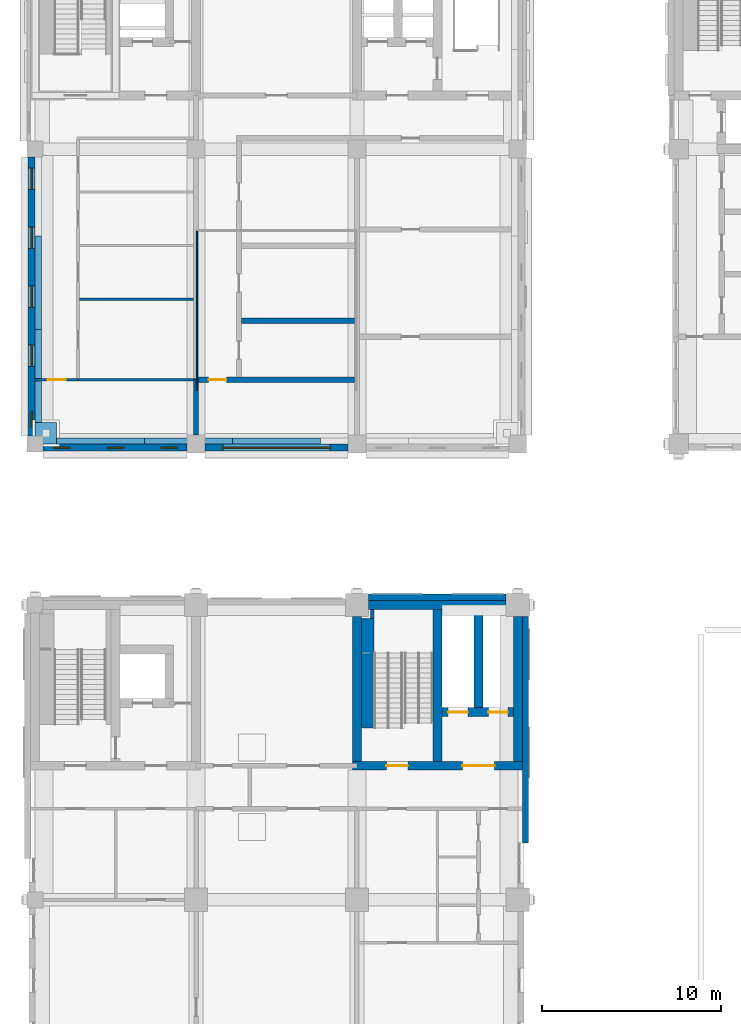
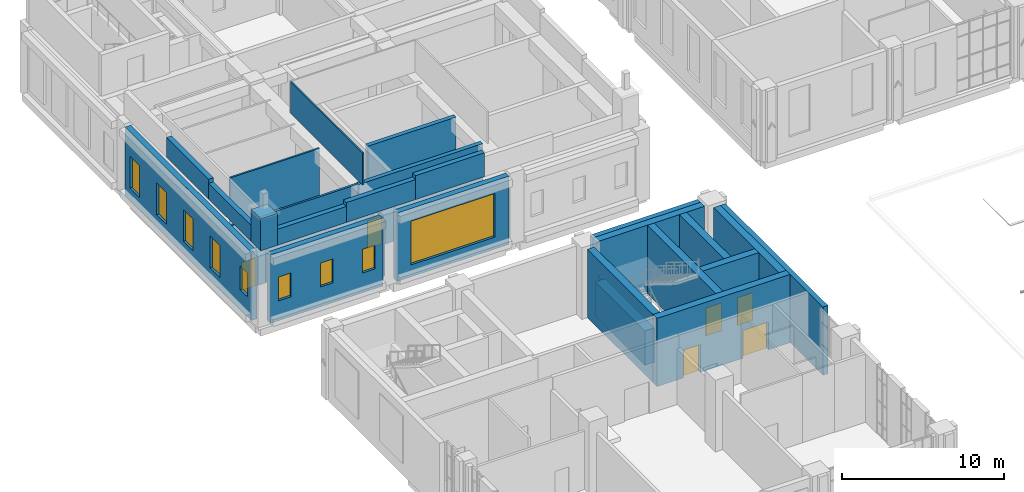
# One storey, part 18 of 37: 27 walls, 9 windows, 6 doors, 15 openings.
"""IFC4 building model written with IfcOpenShell, lengths in metres."""

from ifc_helpers import new_model, si_unit, direction, frame, frame_2d, origin, place, context, subcontext, project, spatial, rectangle, extrude, material, layer, layer_set, type_object, element, fill, save


model = new_model("IFC4")

# Units and contexts
model_context = context("Model", 3, precision=1e-05, world=origin(), true_north=direction((0.0, 1.0)))
body_context = subcontext(model_context, "Body", "Model", "MODEL_VIEW")
ifc_project = project(units=[si_unit("LENGTHUNIT", "METRE"), si_unit("AREAUNIT", "SQUARE_METRE"), si_unit("VOLUMEUNIT", "CUBIC_METRE"), si_unit("PLANEANGLEUNIT", "RADIAN"), si_unit("MASSUNIT", "GRAM", prefix="KILO")], contexts=[model_context])

# Site, building, storey
site_placement = place(None, origin())
site = spatial("IfcSite", under=ifc_project, at=site_placement, CompositionType="ELEMENT")
building_placement = place(site_placement, origin())
building = spatial("IfcBuilding", under=site, at=building_placement, Name="Aurelan Courthouse", CompositionType="ELEMENT")
storey_placement = place(building_placement, frame((0.0, 0.0, 17.39990234375)))
storey = spatial("IfcBuildingStorey", under=building, at=storey_placement, Name="L03", CompositionType="ELEMENT", Elevation=17.39990234375)

# Walls
ifc_material_1 = material(Name="Limestone cladding", Category="masonry")
ifc_layer_1 = layer(ifc_material_1, 0.35009765625)
ifc_layer_set_1 = layer_set([ifc_layer_1], Name="Limestone cladding")
wall_type_1 = type_object("IfcWallType", Name="CR6 crown parapet 350 x 1200", PredefinedType="PARAPET", material=ifc_layer_set_1)
wall_1_placement = place(storey_placement, frame((1.199951171875, 37.675048828125, 5.400146484375), z_axis=(0.0, 0.0, 1.0), x_axis=(1.0, 0.0, 0.0)))
element("IfcWall", 1, at=wall_1_placement, inside=storey, type_object=wall_type_1, Name="Crown parapet CR6-PA01", PredefinedType="PARAPET", context=body_context, shape_type="SweptSolid", body=[
    extrude(rectangle(XDim=4.920166015625, YDim=0.35009765625, at=frame_2d((2.4599609375, 0.0))), origin(), (0.0, 0.0, 1.0), 1.199951171875),
])
wall_2_placement = place(storey_placement, frame((0.175048828125, 38.699951171875, 5.400146484375), z_axis=(0.0, 0.0, 1.0), x_axis=(0.0, 1.0, 0.0)))
element("IfcWall", 2, at=wall_2_placement, inside=storey, type_object=wall_type_1, Name="Crown parapet CR6-PA11", PredefinedType="PARAPET", context=body_context, shape_type="SweptSolid", body=[
    extrude(rectangle(XDim=5.219970703125, YDim=0.35009765625, at=frame_2d((2.60986328125, 0.0))), origin(), (0.0, 0.0, 1.0), 1.199951171875),
])
ifc_layer_2 = layer(ifc_material_1, 0.35009765625)
ifc_layer_set_2 = layer_set([ifc_layer_2], Name="Limestone cladding")
wall_type_2 = type_object("IfcWallType", Name="CR6 crown parapet 350 x 1500", PredefinedType="PARAPET", material=ifc_layer_set_2)
wall_3_placement = place(storey_placement, frame((6.1201171875, 37.675048828125, 5.400146484375), z_axis=(0.0, 0.0, 1.0), x_axis=(1.0, 0.0, 0.0)))
element("IfcWall", 3, at=wall_3_placement, inside=storey, type_object=wall_type_2, Name="Crown parapet CR6-PA02", PredefinedType="PARAPET", context=body_context, shape_type="SweptSolid", body=[
    extrude(rectangle(XDim=4.919921875, YDim=0.35009765625, at=frame_2d((2.4599609375, 0.0))), origin(), (0.0, 0.0, 1.0), 1.5),
])
wall_4_placement = place(storey_placement, frame((0.175048828125, 43.919921875, 5.400146484375), z_axis=(0.0, 0.0, 1.0), x_axis=(0.0, 1.0, 0.0)))
element("IfcWall", 4, at=wall_4_placement, inside=storey, type_object=wall_type_2, Name="Crown parapet CR6-PA12", PredefinedType="PARAPET", context=body_context, shape_type="SweptSolid", body=[
    extrude(rectangle(XDim=5.219970703125, YDim=0.35009765625, at=frame_2d((2.60986328125, 0.0))), origin(), (0.0, 0.0, 1.0), 1.5),
])
ifc_layer_3 = layer(ifc_material_1, 0.35009765625)
ifc_layer_set_3 = layer_set([ifc_layer_3], Name="Limestone cladding")
wall_type_3 = type_object("IfcWallType", Name="CR6 crown parapet 350 x 1800", PredefinedType="PARAPET", material=ifc_layer_set_3)
wall_5_placement = place(storey_placement, frame((11.0400390625, 37.675048828125, 5.400146484375), z_axis=(0.0, 0.0, 1.0), x_axis=(1.0, 0.0, 0.0)))
element("IfcWall", 5, at=wall_5_placement, inside=storey, type_object=wall_type_3, Name="Crown parapet CR6-PA03", PredefinedType="PARAPET", context=body_context, shape_type="SweptSolid", body=[
    extrude(rectangle(XDim=4.919921875, YDim=0.35009765625, at=frame_2d((2.4599609375, 0.0))), origin(), (0.0, 0.0, 1.0), 1.800048828125),
])

# Wall, opening, door
ifc_material_2 = material(Name="Gypsum board on metal studs")
ifc_layer_4 = layer(ifc_material_2, 0.14990234375)
ifc_layer_set_4 = layer_set([ifc_layer_4], Name="Gypsum board on metal studs")
wall_type_4 = type_object("IfcWallType", Name="Corridor partition 150 EI 60", PredefinedType="PARTITIONING", material=ifc_layer_set_4)
wall_6_placement = place(storey_placement, frame((0.0, 41.10009765625, 0.0), z_axis=(0.0, 0.0, 1.0), x_axis=(1.0, 0.0, 0.0)))
wall_6 = element("IfcWall", 6, at=wall_6_placement, inside=storey, type_object=wall_type_4, Name="Corridor partition L03-013", PredefinedType="PARTITIONING", context=body_context, shape_type="SweptSolid", body=[
    extrude(rectangle(XDim=2.39990234375, YDim=0.14990234375, at=frame_2d((1.199951171875, 0.0))), origin(), (0.0, 0.0, 1.0), 5.150146484375),
])
opening_1_placement = place(wall_6_placement, frame((1.699951171875, 0.0, 0.0), z_axis=(0.0, 0.0, 1.0), x_axis=(-1.0, 0.0, 0.0)))
opening_1 = element("IfcOpeningElement", 7, at=opening_1_placement, cuts=wall_6, Name="Opening D-L03-085", PredefinedType="OPENING", context=body_context, shape_type="SweptSolid", body=[
    extrude(rectangle(XDim=1.0, YDim=2.10009765625, at=frame_2d((0.5, 1.050048828125))), frame((0.0, 0.0849609375, 0.0), z_axis=(0.0, -1.0, 0.0), x_axis=(1.0, 0.0, 0.0)), (0.0, 0.0, 1.0), 0.169921875),
])
ifc_material_3 = material(Name="Steel", Category="steel")
door_type_1 = type_object("IfcDoorType", Name="Single door 1000 x 2100 FD60", OperationType="SINGLE_SWING_LEFT", PredefinedType="DOOR", material=ifc_material_3)
door_1_placement = place(opening_1_placement, origin())
door_1 = element("IfcDoor", 8, at=door_1_placement, inside=storey, type_object=door_type_1, Name="Single door D-L03-085", OperationType="SINGLE_SWING_RIGHT", OverallHeight=2.10009765625, OverallWidth=1.0, PredefinedType="DOOR", context=body_context, shape_type="SweptSolid", body=[
    extrude(rectangle(XDim=1.0, YDim=2.10009765625, at=frame_2d((0.5, 1.050048828125))), frame((0.0, 0.02490234375, 0.0), z_axis=(0.0, -1.0, 0.0), x_axis=(1.0, 0.0, 0.0)), (0.0, 0.0, 1.0), 0.050048828125),
])
fill(opening_1, door_1)

# Walls
ifc_layer_5 = layer(ifc_material_1, 0.10009765625, Name="Facing")
ifc_material_4 = material(Name="Ventilated cavity")
ifc_layer_6 = layer(ifc_material_4, 0.02490234375, ventilated=True, Name="Ventilated cavity")
ifc_material_5 = material(Name="Mineral wool insulation")
ifc_layer_7 = layer(ifc_material_5, 0.050048828125, Name="Insulation")
ifc_material_6 = material(Name="Concrete C30", Category="concrete")
ifc_layer_8 = layer(ifc_material_6, 0.175048828125, Name="Structure")
ifc_layer_set_5 = layer_set([ifc_layer_5, ifc_layer_6, ifc_layer_7, ifc_layer_8], Name="Concrete C30")
wall_type_5 = type_object("IfcWallType", Name="Courts' Floors stone-faced wall 350", PredefinedType="SOLIDWALL", material=ifc_layer_set_5)
wall_7_placement = place(storey_placement, frame((18.64990234375, 28.925048828125, 0.0), z_axis=(0.0, 0.0, 1.0), x_axis=(1.0, 0.0, 0.0)))
element("IfcWall", 9, at=wall_7_placement, inside=storey, type_object=wall_type_5, Name="Facade wall FW-V5-L03-012", PredefinedType="SOLIDWALL", context=body_context, shape_type="SweptSolid", body=[
    extrude(rectangle(XDim=7.7001953125, YDim=0.35009765625, at=frame_2d((3.85009765625, 0.0))), origin(), (0.0, 0.0, 1.0), 5.150146484375),
])
wall_8_placement = place(storey_placement, frame((27.425048828125, 15.1875, 0.0), z_axis=(0.0, 0.0, 1.0), x_axis=(0.0, 1.0, 0.0)))
element("IfcWall", 10, at=wall_8_placement, inside=storey, type_object=wall_type_5, Name="Facade wall FW-V5-L03-018", PredefinedType="SOLIDWALL", context=body_context, shape_type="SweptSolid", body=[
    extrude(rectangle(XDim=12.66259765625, YDim=0.35009765625, at=frame_2d((6.331298828125, 0.0))), origin(), (0.0, 0.0, 1.0), 5.150146484375),
])
ifc_layer_9 = layer(ifc_material_1, 1.199951171875)
ifc_layer_set_6 = layer_set([ifc_layer_9], Name="Limestone cladding")
wall_type_6 = type_object("IfcWallType", Name="Crown pylon 1200 x 2400", PredefinedType="SOLIDWALL", material=ifc_layer_set_6)
wall_9_placement = place(storey_placement, frame((0.0, 38.10009765625, 5.400146484375), z_axis=(0.0, 0.0, 1.0), x_axis=(1.0, 0.0, 0.0)))
element("IfcWall", 11, at=wall_9_placement, inside=storey, type_object=wall_type_6, Name="Crown pylon CR6-PY-SW", PredefinedType="SOLIDWALL", context=body_context, shape_type="SweptSolid", body=[
    extrude(rectangle(XDim=1.199951171875, YDim=1.199951171875, at=frame_2d((0.60009765625, 0.0))), origin(), (0.0, 0.0, 1.0), 2.39990234375),
])

# Wall, openings, windows
ifc_layer_10 = layer(ifc_material_1, 0.114990234375, Name="Facing")
ifc_layer_11 = layer(ifc_material_4, 0.02490234375, ventilated=True, Name="Ventilated cavity")
ifc_layer_12 = layer(ifc_material_5, 0.054931640625, Name="Insulation")
ifc_layer_13 = layer(ifc_material_6, 0.205078125, Name="Structure")
ifc_layer_set_7 = layer_set([ifc_layer_10, ifc_layer_11, ifc_layer_12, ifc_layer_13], Name="Concrete C30")
wall_type_7 = type_object("IfcWallType", Name="Custody Suite stone-faced wall 400", PredefinedType="SOLIDWALL", material=ifc_layer_set_7)
wall_10_placement = place(storey_placement, frame((0.449951171875, 37.300048828125, 0.0), z_axis=(0.0, 0.0, 1.0), x_axis=(1.0, 0.0, 0.0)))
wall_10 = element("IfcWall", 12, at=wall_10_placement, inside=storey, type_object=wall_type_7, Name="Facade wall FW-V6-L03-001", PredefinedType="SOLIDWALL", context=body_context, shape_type="SweptSolid", body=[
    extrude(rectangle(XDim=8.050048828125, YDim=0.39990234375, at=frame_2d((4.02490234375, 0.0))), origin(), (0.0, 0.0, 1.0), 5.150146484375),
])
opening_2_placement = place(wall_10_placement, frame((0.60009765625, 0.0, 1.5)))
opening_2 = element("IfcOpeningElement", 13, at=opening_2_placement, cuts=wall_10, Name="Opening WN-V6-L03-001", PredefinedType="OPENING", context=body_context, shape_type="SweptSolid", body=[
    extrude(rectangle(XDim=0.89990234375, YDim=1.800048828125, at=frame_2d((0.449951171875, 0.89990234375))), frame((0.0, 0.2099609375, 0.0), z_axis=(0.0, -1.0, 0.0), x_axis=(1.0, 0.0, 0.0)), (0.0, 0.0, 1.0), 0.419921875),
])
opening_3_placement = place(wall_10_placement, frame((3.60009765625, 0.0, 1.5)))
opening_3 = element("IfcOpeningElement", 14, at=opening_3_placement, cuts=wall_10, Name="Opening WN-V6-L03-002", PredefinedType="OPENING", context=body_context, shape_type="SweptSolid", body=[
    extrude(rectangle(XDim=0.89990234375, YDim=1.800048828125, at=frame_2d((0.449951171875, 0.89990234375))), frame((0.0, 0.2099609375, 0.0), z_axis=(0.0, -1.0, 0.0), x_axis=(1.0, 0.0, 0.0)), (0.0, 0.0, 1.0), 0.419921875),
])
opening_4_placement = place(wall_10_placement, frame((6.60009765625, 0.0, 1.5)))
opening_4 = element("IfcOpeningElement", 15, at=opening_4_placement, cuts=wall_10, Name="Opening WN-V6-L03-003", PredefinedType="OPENING", context=body_context, shape_type="SweptSolid", body=[
    extrude(rectangle(XDim=0.89990234375, YDim=1.800048828125, at=frame_2d((0.449951171875, 0.89990234375))), frame((0.0, 0.2099609375, 0.0), z_axis=(0.0, -1.0, 0.0), x_axis=(1.0, 0.0, 0.0)), (0.0, 0.0, 1.0), 0.419921875),
])
ifc_material_7 = material(Name="Bronze-finished aluminium and glass", Category="aluminium")
window_type_1 = type_object("IfcWindowType", Name="Custody Suite window 900 x 1800, sill 1500", PartitioningType="SINGLE_PANEL", PredefinedType="WINDOW", material=ifc_material_7)
window_1_placement = place(opening_2_placement, origin())
window_1 = element("IfcWindow", 16, at=window_1_placement, inside=storey, type_object=window_type_1, Name="Window WN-V6-L03-001", OverallHeight=1.800048828125, OverallWidth=0.89990234375, PartitioningType="SINGLE_PANEL", PredefinedType="WINDOW", context=body_context, shape_type="SweptSolid", body=[
    extrude(rectangle(XDim=0.89990234375, YDim=1.800048828125, at=frame_2d((0.449951171875, 0.89990234375))), frame((0.0, 0.030029296875, 0.0), z_axis=(0.0, -1.0, 0.0), x_axis=(1.0, 0.0, 0.0)), (0.0, 0.0, 1.0), 0.06005859375),
])
fill(opening_2, window_1)
window_2_placement = place(opening_3_placement, origin())
window_2 = element("IfcWindow", 17, at=window_2_placement, inside=storey, type_object=window_type_1, Name="Window WN-V6-L03-002", OverallHeight=1.800048828125, OverallWidth=0.89990234375, PartitioningType="SINGLE_PANEL", PredefinedType="WINDOW", context=body_context, shape_type="SweptSolid", body=[
    extrude(rectangle(XDim=0.89990234375, YDim=1.800048828125, at=frame_2d((0.449951171875, 0.89990234375))), frame((0.0, 0.030029296875, 0.0), z_axis=(0.0, -1.0, 0.0), x_axis=(1.0, 0.0, 0.0)), (0.0, 0.0, 1.0), 0.06005859375),
])
fill(opening_3, window_2)
window_3_placement = place(opening_4_placement, origin())
window_3 = element("IfcWindow", 18, at=window_3_placement, inside=storey, type_object=window_type_1, Name="Window WN-V6-L03-003", OverallHeight=1.800048828125, OverallWidth=0.89990234375, PartitioningType="SINGLE_PANEL", PredefinedType="WINDOW", context=body_context, shape_type="SweptSolid", body=[
    extrude(rectangle(XDim=0.89990234375, YDim=1.800048828125, at=frame_2d((0.449951171875, 0.89990234375))), frame((0.0, 0.030029296875, 0.0), z_axis=(0.0, -1.0, 0.0), x_axis=(1.0, 0.0, 0.0)), (0.0, 0.0, 1.0), 0.06005859375),
])
fill(opening_4, window_3)

# Wall, opening, window
wall_11_placement = place(storey_placement, frame((9.5, 37.300048828125, 0.0), z_axis=(0.0, 0.0, 1.0), x_axis=(1.0, 0.0, 0.0)))
wall_11 = element("IfcWall", 19, at=wall_11_placement, inside=storey, type_object=wall_type_7, Name="Facade wall FW-V6-L03-002", PredefinedType="SOLIDWALL", context=body_context, shape_type="SweptSolid", body=[
    extrude(rectangle(XDim=8.0, YDim=0.39990234375, at=frame_2d((4.0, 0.0))), origin(), (0.0, 0.0, 1.0), 5.150146484375),
])
opening_5_placement = place(wall_11_placement, frame((1.0, 0.0, 0.89990234375)))
opening_5 = element("IfcOpeningElement", 20, at=opening_5_placement, cuts=wall_11, Name="Opening WN-V6-L03-004", PredefinedType="OPENING", context=body_context, shape_type="SweptSolid", body=[
    extrude(rectangle(XDim=6.0, YDim=3.300048828125, at=frame_2d((3.0, 1.64990234375))), frame((0.0, 0.2099609375, 0.0), z_axis=(0.0, -1.0, 0.0), x_axis=(1.0, 0.0, 0.0)), (0.0, 0.0, 1.0), 0.419921875),
])
ifc_material_8 = material(Name="Bronze-finished aluminium louvre", Category="aluminium")
window_type_2 = type_object("IfcWindowType", Name="Plant louvre 6000 x 3300", PartitioningType="SINGLE_PANEL", PredefinedType="WINDOW", material=ifc_material_8)
window_4_placement = place(opening_5_placement, origin())
window_4 = element("IfcWindow", 21, at=window_4_placement, inside=storey, type_object=window_type_2, Name="Plant louvre WN-V6-L03-004", OverallHeight=3.300048828125, OverallWidth=6.0, PartitioningType="SINGLE_PANEL", PredefinedType="WINDOW", context=body_context, shape_type="SweptSolid", body=[
    extrude(rectangle(XDim=6.0, YDim=3.300048828125, at=frame_2d((3.0, 1.64990234375))), frame((0.0, 0.030029296875, 0.0), z_axis=(0.0, -1.0, 0.0), x_axis=(1.0, 0.0, 0.0)), (0.0, 0.0, 1.0), 0.06005859375),
])
fill(opening_5, window_4)

# Wall, openings, windows
wall_12_placement = place(storey_placement, frame((-0.199951171875, 37.949951171875, 0.0), z_axis=(0.0, 0.0, 1.0), x_axis=(0.0, 1.0, 0.0)))
wall_12 = element("IfcWall", 22, at=wall_12_placement, inside=storey, type_object=wall_type_7, Name="Facade wall FW-V6-L03-009", PredefinedType="SOLIDWALL", context=body_context, shape_type="SweptSolid", body=[
    extrude(rectangle(XDim=15.60009765625, YDim=0.39990234375, at=frame_2d((7.800048828125, 0.0))), origin(), (0.0, 0.0, 1.0), 5.150146484375),
])
opening_6_placement = place(wall_12_placement, frame((3.89990234375, 0.0, 0.89990234375)))
opening_6 = element("IfcOpeningElement", 23, at=opening_6_placement, cuts=wall_12, Name="Opening WN-V6-L03-017", PredefinedType="OPENING", context=body_context, shape_type="SweptSolid", body=[
    extrude(rectangle(XDim=1.199951171875, YDim=2.39990234375, at=frame_2d((0.60009765625, 1.199951171875))), frame((0.0, 0.2099609375, 0.0), z_axis=(0.0, -1.0, 0.0), x_axis=(1.0, 0.0, 0.0)), (0.0, 0.0, 1.0), 0.419921875),
])
opening_7_placement = place(wall_12_placement, frame((7.199951171875, 0.0, 0.89990234375)))
opening_7 = element("IfcOpeningElement", 24, at=opening_7_placement, cuts=wall_12, Name="Opening WN-V6-L03-018", PredefinedType="OPENING", context=body_context, shape_type="SweptSolid", body=[
    extrude(rectangle(XDim=1.199951171875, YDim=2.39990234375, at=frame_2d((0.60009765625, 1.199951171875))), frame((0.0, 0.2099609375, 0.0), z_axis=(0.0, -1.0, 0.0), x_axis=(1.0, 0.0, 0.0)), (0.0, 0.0, 1.0), 0.419921875),
])
opening_8_placement = place(wall_12_placement, frame((10.5, 0.0, 0.89990234375)))
opening_8 = element("IfcOpeningElement", 25, at=opening_8_placement, cuts=wall_12, Name="Opening WN-V6-L03-019", PredefinedType="OPENING", context=body_context, shape_type="SweptSolid", body=[
    extrude(rectangle(XDim=1.199951171875, YDim=2.39990234375, at=frame_2d((0.60009765625, 1.199951171875))), frame((0.0, 0.2099609375, 0.0), z_axis=(0.0, -1.0, 0.0), x_axis=(1.0, 0.0, 0.0)), (0.0, 0.0, 1.0), 0.419921875),
])
opening_9_placement = place(wall_12_placement, frame((13.800048828125, 0.0, 0.89990234375)))
opening_9 = element("IfcOpeningElement", 26, at=opening_9_placement, cuts=wall_12, Name="Opening WN-V6-L03-020", PredefinedType="OPENING", context=body_context, shape_type="SweptSolid", body=[
    extrude(rectangle(XDim=1.199951171875, YDim=2.39990234375, at=frame_2d((0.60009765625, 1.199951171875))), frame((0.0, 0.2099609375, 0.0), z_axis=(0.0, -1.0, 0.0), x_axis=(1.0, 0.0, 0.0)), (0.0, 0.0, 1.0), 0.419921875),
])
opening_10_placement = place(wall_12_placement, frame((0.47509765625, 0.0, 1.5)))
opening_10 = element("IfcOpeningElement", 27, at=opening_10_placement, cuts=wall_12, Name="Opening WN-V6-L03-021", PredefinedType="OPENING", context=body_context, shape_type="SweptSolid", body=[
    extrude(rectangle(XDim=0.89990234375, YDim=1.800048828125, at=frame_2d((0.449951171875, 0.89990234375))), frame((0.0, 0.2099609375, 0.0), z_axis=(0.0, -1.0, 0.0), x_axis=(1.0, 0.0, 0.0)), (0.0, 0.0, 1.0), 0.419921875),
])
window_type_3 = type_object("IfcWindowType", Name="Custody Suite glazed slot 1200 x 2400, sill 900", PartitioningType="SINGLE_PANEL", PredefinedType="WINDOW", material=ifc_material_7)
window_5_placement = place(opening_6_placement, origin())
window_5 = element("IfcWindow", 28, at=window_5_placement, inside=storey, type_object=window_type_3, Name="Glazed slot WN-V6-L03-017", OverallHeight=2.39990234375, OverallWidth=1.199951171875, PartitioningType="SINGLE_PANEL", PredefinedType="WINDOW", context=body_context, shape_type="SweptSolid", body=[
    extrude(rectangle(XDim=1.199951171875, YDim=2.39990234375, at=frame_2d((0.60009765625, 1.199951171875))), frame((0.0, 0.030029296875, 0.0), z_axis=(0.0, -1.0, 0.0), x_axis=(1.0, 0.0, 0.0)), (0.0, 0.0, 1.0), 0.06005859375),
])
fill(opening_6, window_5)
window_6_placement = place(opening_7_placement, origin())
window_6 = element("IfcWindow", 29, at=window_6_placement, inside=storey, type_object=window_type_3, Name="Glazed slot WN-V6-L03-018", OverallHeight=2.39990234375, OverallWidth=1.199951171875, PartitioningType="SINGLE_PANEL", PredefinedType="WINDOW", context=body_context, shape_type="SweptSolid", body=[
    extrude(rectangle(XDim=1.199951171875, YDim=2.39990234375, at=frame_2d((0.60009765625, 1.199951171875))), frame((0.0, 0.030029296875, 0.0), z_axis=(0.0, -1.0, 0.0), x_axis=(1.0, 0.0, 0.0)), (0.0, 0.0, 1.0), 0.06005859375),
])
fill(opening_7, window_6)
window_7_placement = place(opening_8_placement, origin())
window_7 = element("IfcWindow", 30, at=window_7_placement, inside=storey, type_object=window_type_3, Name="Glazed slot WN-V6-L03-019", OverallHeight=2.39990234375, OverallWidth=1.199951171875, PartitioningType="SINGLE_PANEL", PredefinedType="WINDOW", context=body_context, shape_type="SweptSolid", body=[
    extrude(rectangle(XDim=1.199951171875, YDim=2.39990234375, at=frame_2d((0.60009765625, 1.199951171875))), frame((0.0, 0.030029296875, 0.0), z_axis=(0.0, -1.0, 0.0), x_axis=(1.0, 0.0, 0.0)), (0.0, 0.0, 1.0), 0.06005859375),
])
fill(opening_8, window_7)
window_8_placement = place(opening_9_placement, origin())
window_8 = element("IfcWindow", 31, at=window_8_placement, inside=storey, type_object=window_type_3, Name="Glazed slot WN-V6-L03-020", OverallHeight=2.39990234375, OverallWidth=1.199951171875, PartitioningType="SINGLE_PANEL", PredefinedType="WINDOW", context=body_context, shape_type="SweptSolid", body=[
    extrude(rectangle(XDim=1.199951171875, YDim=2.39990234375, at=frame_2d((0.60009765625, 1.199951171875))), frame((0.0, 0.030029296875, 0.0), z_axis=(0.0, -1.0, 0.0), x_axis=(1.0, 0.0, 0.0)), (0.0, 0.0, 1.0), 0.06005859375),
])
fill(opening_9, window_8)
window_9_placement = place(opening_10_placement, origin())
window_9 = element("IfcWindow", 32, at=window_9_placement, inside=storey, type_object=window_type_1, Name="Window WN-V6-L03-021", OverallHeight=1.800048828125, OverallWidth=0.89990234375, PartitioningType="SINGLE_PANEL", PredefinedType="WINDOW", context=body_context, shape_type="SweptSolid", body=[
    extrude(rectangle(XDim=0.89990234375, YDim=1.800048828125, at=frame_2d((0.449951171875, 0.89990234375))), frame((0.0, 0.030029296875, 0.0), z_axis=(0.0, -1.0, 0.0), x_axis=(1.0, 0.0, 0.0)), (0.0, 0.0, 1.0), 0.06005859375),
])
fill(opening_10, window_9)

# Wall, opening, door
ifc_layer_14 = layer(ifc_material_6, 0.300048828125)
ifc_layer_set_8 = layer_set([ifc_layer_14], Name="Concrete C30")
wall_type_8 = type_object("IfcWallType", Name="Custody wall 300 EI 120", PredefinedType="PARTITIONING", material=ifc_layer_set_8)
wall_13_placement = place(storey_placement, frame((9.0, 41.10009765625, 0.0), z_axis=(0.0, 0.0, 1.0), x_axis=(1.0, 0.0, 0.0)))
wall_13 = element("IfcWall", 33, at=wall_13_placement, inside=storey, type_object=wall_type_8, Name="Custody wall L03-015", PredefinedType="PARTITIONING", context=body_context, shape_type="SweptSolid", body=[
    extrude(rectangle(XDim=8.85009765625, YDim=0.300048828125, at=frame_2d((4.425048828125, 0.0))), origin(), (0.0, 0.0, 1.0), 5.150146484375),
])
opening_11_placement = place(wall_13_placement, frame((1.699951171875, 0.0, 0.0), z_axis=(0.0, 0.0, 1.0), x_axis=(-1.0, 0.0, 0.0)))
opening_11 = element("IfcOpeningElement", 34, at=opening_11_placement, cuts=wall_13, Name="Opening D-L03-086", PredefinedType="OPENING", context=body_context, shape_type="SweptSolid", body=[
    extrude(rectangle(XDim=1.0, YDim=2.10009765625, at=frame_2d((0.5, 1.050048828125))), frame((0.0, 0.159912109375, 0.0), z_axis=(0.0, -1.0, 0.0), x_axis=(1.0, 0.0, 0.0)), (0.0, 0.0, 1.0), 0.320068359375),
])
door_type_2 = type_object("IfcDoorType", Name="Single door 1000 x 2100 FD120", OperationType="SINGLE_SWING_LEFT", PredefinedType="DOOR", material=ifc_material_3)
door_2_placement = place(opening_11_placement, origin())
door_2 = element("IfcDoor", 35, at=door_2_placement, inside=storey, type_object=door_type_2, Name="Single door D-L03-086", OperationType="SINGLE_SWING_RIGHT", OverallHeight=2.10009765625, OverallWidth=1.0, PredefinedType="DOOR", context=body_context, shape_type="SweptSolid", body=[
    extrude(rectangle(XDim=1.0, YDim=2.10009765625, at=frame_2d((0.5, 1.050048828125))), frame((0.0, 0.02490234375, 0.0), z_axis=(0.0, -1.0, 0.0), x_axis=(1.0, 0.0, 0.0)), (0.0, 0.0, 1.0), 0.050048828125),
])
fill(opening_11, door_2)

# Walls
wall_14_placement = place(storey_placement, frame((11.550048828125, 44.39990234375, 0.0), z_axis=(0.0, 0.0, 1.0), x_axis=(1.0, 0.0, 0.0)))
element("IfcWall", 36, at=wall_14_placement, inside=storey, type_object=wall_type_8, Name="Custody wall L03-019", PredefinedType="PARTITIONING", context=body_context, shape_type="SweptSolid", body=[
    extrude(rectangle(XDim=6.300048828125, YDim=0.300048828125, at=frame_2d((3.14990234375, 0.0))), origin(), (0.0, 0.0, 1.0), 5.150146484375),
])
wall_15_placement = place(storey_placement, frame((9.0, 38.0, 0.0), z_axis=(0.0, 0.0, 1.0), x_axis=(0.0, 1.0, 0.0)))
element("IfcWall", 37, at=wall_15_placement, inside=storey, type_object=wall_type_8, Name="Custody wall L03-055", PredefinedType="PARTITIONING", context=body_context, shape_type="SweptSolid", body=[
    extrude(rectangle(XDim=3.10009765625, YDim=0.300048828125, at=frame_2d((1.550048828125, 0.0))), origin(), (0.0, 0.0, 1.0), 4.2001953125),
])
ifc_layer_15 = layer(ifc_material_2, 0.14990234375)
ifc_layer_set_9 = layer_set([ifc_layer_15], Name="Gypsum board on metal studs")
wall_type_9 = type_object("IfcWallType", Name="Partition 150 NOT RATED", PredefinedType="PARTITIONING", material=ifc_layer_set_9)
wall_16_placement = place(storey_placement, frame((2.39990234375, 41.10009765625, 0.0), z_axis=(0.0, 0.0, 1.0), x_axis=(1.0, 0.0, 0.0)))
element("IfcWall", 38, at=wall_16_placement, inside=storey, type_object=wall_type_9, Name="Partition L03-014", PredefinedType="PARTITIONING", context=body_context, shape_type="SweptSolid", body=[
    extrude(rectangle(XDim=6.60009765625, YDim=0.14990234375, at=frame_2d((3.300048828125, 0.0))), origin(), (0.0, 0.0, 1.0), 5.150146484375),
])
ifc_material_9 = material(Name="Bronze-finished aluminium", Category="aluminium")
ifc_layer_16 = layer(ifc_material_9, 0.10009765625)
ifc_layer_set_10 = layer_set([ifc_layer_16], Name="Bronze-finished aluminium")
wall_type_10 = type_object("IfcWallType", Name="Plant screen 100 x 2400", PredefinedType="SOLIDWALL", material=ifc_layer_set_10)
wall_17_placement = place(storey_placement, frame((9.050048828125, 40.5, 5.400146484375), z_axis=(0.0, 0.0, 1.0), x_axis=(0.0, 1.0, 0.0)))
element("IfcWall", 39, at=wall_17_placement, inside=storey, type_object=wall_type_10, Name="Plant screen PS-2", PredefinedType="SOLIDWALL", context=body_context, shape_type="SweptSolid", body=[
    extrude(rectangle(XDim=8.89990234375, YDim=0.10009765625, at=frame_2d((4.449951171875, 0.0))), origin(), (0.0, 0.0, 1.0), 2.39990234375),
])

# Wall, openings, doors
ifc_material_10 = material(Name="Concrete C50", Category="concrete")
ifc_layer_17 = layer(ifc_material_10, 0.5)
ifc_layer_set_11 = layer_set([ifc_layer_17], Name="Concrete C50")
wall_type_11 = type_object("IfcWallType", Name="RC shear wall 500", PredefinedType="SHEAR", material=ifc_layer_set_11)
wall_18_placement = place(storey_placement, frame((17.75, 19.5, 0.0), z_axis=(0.0, 0.0, 1.0), x_axis=(1.0, 0.0, 0.0)))
wall_18 = element("IfcWall", 40, at=wall_18_placement, inside=storey, type_object=wall_type_11, Name="Core wall SW-L03-002", PredefinedType="SHEAR", context=body_context, shape_type="SweptSolid", body=[
    extrude(rectangle(XDim=9.5, YDim=0.5, at=frame_2d((4.75, 0.0))), origin(), (0.0, 0.0, 1.0), 5.150146484375),
])
opening_12_placement = place(wall_18_placement, frame((1.89990234375, 0.0, 0.0)))
opening_12 = element("IfcOpeningElement", 41, at=opening_12_placement, cuts=wall_18, Name="Opening D-L03-053", PredefinedType="OPENING", context=body_context, shape_type="SweptSolid", body=[
    extrude(rectangle(XDim=1.199951171875, YDim=2.10009765625, at=frame_2d((0.60009765625, 1.050048828125))), frame((0.0, 0.260009765625, 0.0), z_axis=(0.0, -1.0, 0.0), x_axis=(1.0, 0.0, 0.0)), (0.0, 0.0, 1.0), 0.52001953125),
])
opening_13_placement = place(wall_18_placement, frame((7.949951171875, 0.0, 0.0), z_axis=(0.0, 0.0, 1.0), x_axis=(-1.0, 0.0, 0.0)))
opening_13 = element("IfcOpeningElement", 42, at=opening_13_placement, cuts=wall_18, Name="Opening D-L03-054", PredefinedType="OPENING", context=body_context, shape_type="SweptSolid", body=[
    extrude(rectangle(XDim=1.800048828125, YDim=2.10009765625, at=frame_2d((0.89990234375, 1.050048828125))), frame((0.0, 0.260009765625, 0.0), z_axis=(0.0, -1.0, 0.0), x_axis=(1.0, 0.0, 0.0)), (0.0, 0.0, 1.0), 0.52001953125),
])
door_type_3 = type_object("IfcDoorType", Name="Double door 1800 x 2100 FD90", OperationType="DOUBLE_DOOR_SINGLE_SWING", PredefinedType="DOOR", material=ifc_material_3)
door_3_placement = place(opening_13_placement, origin())
door_3 = element("IfcDoor", 43, at=door_3_placement, inside=storey, type_object=door_type_3, Name="Double door D-L03-054", OperationType="DOUBLE_DOOR_SINGLE_SWING", OverallHeight=2.10009765625, OverallWidth=1.800048828125, PredefinedType="DOOR", context=body_context, shape_type="SweptSolid", body=[
    extrude(rectangle(XDim=1.800048828125, YDim=2.10009765625, at=frame_2d((0.89990234375, 1.050048828125))), frame((0.0, 0.02490234375, 0.0), z_axis=(0.0, -1.0, 0.0), x_axis=(1.0, 0.0, 0.0)), (0.0, 0.0, 1.0), 0.050048828125),
])
fill(opening_13, door_3)
door_type_4 = type_object("IfcDoorType", Name="Single door 1200 x 2100 FD90", OperationType="SINGLE_SWING_LEFT", PredefinedType="DOOR", material=ifc_material_3)
door_4_placement = place(opening_12_placement, origin())
door_4 = element("IfcDoor", 44, at=door_4_placement, inside=storey, type_object=door_type_4, Name="Single door D-L03-053", OperationType="SINGLE_SWING_RIGHT", OverallHeight=2.10009765625, OverallWidth=1.199951171875, PredefinedType="DOOR", context=body_context, shape_type="SweptSolid", body=[
    extrude(rectangle(XDim=1.199951171875, YDim=2.10009765625, at=frame_2d((0.60009765625, 1.050048828125))), frame((0.0, 0.02490234375, 0.0), z_axis=(0.0, -1.0, 0.0), x_axis=(1.0, 0.0, 0.0)), (0.0, 0.0, 1.0), 0.050048828125),
])
fill(opening_12, door_4)

# Walls
wall_19_placement = place(storey_placement, frame((18.0, 19.75, 0.0), z_axis=(0.0, 0.0, 1.0), x_axis=(0.0, 1.0, 0.0)))
element("IfcWall", 45, at=wall_19_placement, inside=storey, type_object=wall_type_11, Name="Core wall SW-L03-006", PredefinedType="SHEAR", context=body_context, shape_type="SweptSolid", body=[
    extrude(rectangle(XDim=8.10009765625, YDim=0.5, at=frame_2d((4.050048828125, 0.0))), origin(), (0.0, 0.0, 1.0), 5.150146484375),
])
wall_20_placement = place(storey_placement, frame((22.5, 19.75, 0.0), z_axis=(0.0, 0.0, 1.0), x_axis=(0.0, 1.0, 0.0)))
element("IfcWall", 46, at=wall_20_placement, inside=storey, type_object=wall_type_11, Name="Core wall SW-L03-007", PredefinedType="SHEAR", context=body_context, shape_type="SweptSolid", body=[
    extrude(rectangle(XDim=8.5, YDim=0.5, at=frame_2d((4.25, 0.0))), origin(), (0.0, 0.0, 1.0), 5.150146484375),
])
wall_21_placement = place(storey_placement, frame((27.0, 19.75, 0.0), z_axis=(0.0, 0.0, 1.0), x_axis=(0.0, 1.0, 0.0)))
element("IfcWall", 47, at=wall_21_placement, inside=storey, type_object=wall_type_11, Name="Core wall SW-L03-008", PredefinedType="SHEAR", context=body_context, shape_type="SweptSolid", body=[
    extrude(rectangle(XDim=8.10009765625, YDim=0.5, at=frame_2d((4.050048828125, 0.0))), origin(), (0.0, 0.0, 1.0), 5.150146484375),
])

# Wall, openings, doors
wall_22_placement = place(storey_placement, frame((22.75, 22.5, 0.0), z_axis=(0.0, 0.0, 1.0), x_axis=(1.0, 0.0, 0.0)))
wall_22 = element("IfcWall", 48, at=wall_22_placement, inside=storey, type_object=wall_type_11, Name="Core wall SW-L03-009", PredefinedType="SHEAR", context=body_context, shape_type="SweptSolid", body=[
    extrude(rectangle(XDim=4.0, YDim=0.5, at=frame_2d((2.0, 0.0))), origin(), (0.0, 0.0, 1.0), 5.150146484375),
])
opening_14_placement = place(wall_22_placement, frame((0.35009765625, 0.0, 0.0)))
opening_14 = element("IfcOpeningElement", 49, at=opening_14_placement, cuts=wall_22, Name="Opening LD-V5-P1-L03", PredefinedType="OPENING", context=body_context, shape_type="SweptSolid", body=[
    extrude(rectangle(XDim=1.10009765625, YDim=2.10009765625, at=frame_2d((0.550048828125, 1.050048828125))), frame((0.0, 0.260009765625, 0.0), z_axis=(0.0, -1.0, 0.0), x_axis=(1.0, 0.0, 0.0)), (0.0, 0.0, 1.0), 0.52001953125),
])
opening_15_placement = place(wall_22_placement, frame((2.60009765625, 0.0, 0.0)))
opening_15 = element("IfcOpeningElement", 50, at=opening_15_placement, cuts=wall_22, Name="Opening LD-V5-P2-L03", PredefinedType="OPENING", context=body_context, shape_type="SweptSolid", body=[
    extrude(rectangle(XDim=1.10009765625, YDim=2.10009765625, at=frame_2d((0.550048828125, 1.050048828125))), frame((0.0, 0.260009765625, 0.0), z_axis=(0.0, -1.0, 0.0), x_axis=(1.0, 0.0, 0.0)), (0.0, 0.0, 1.0), 0.52001953125),
])
door_type_5 = type_object("IfcDoorType", Name="Lift landing door 1100 x 2100 FD90", OperationType="SLIDING_TO_LEFT", PredefinedType="DOOR", material=ifc_material_3)
door_5_placement = place(opening_14_placement, origin())
door_5 = element("IfcDoor", 51, at=door_5_placement, inside=storey, type_object=door_type_5, Name="Lift landing door LD-V5-P1-L03", OperationType="SLIDING_TO_LEFT", OverallHeight=2.10009765625, OverallWidth=1.10009765625, PredefinedType="DOOR", context=body_context, shape_type="SweptSolid", body=[
    extrude(rectangle(XDim=1.10009765625, YDim=2.10009765625, at=frame_2d((0.550048828125, 1.050048828125))), frame((0.0, 0.02490234375, 0.0), z_axis=(0.0, -1.0, 0.0), x_axis=(1.0, 0.0, 0.0)), (0.0, 0.0, 1.0), 0.050048828125),
])
fill(opening_14, door_5)
door_6_placement = place(opening_15_placement, origin())
door_6 = element("IfcDoor", 52, at=door_6_placement, inside=storey, type_object=door_type_5, Name="Lift landing door LD-V5-P2-L03", OperationType="SLIDING_TO_LEFT", OverallHeight=2.10009765625, OverallWidth=1.10009765625, PredefinedType="DOOR", context=body_context, shape_type="SweptSolid", body=[
    extrude(rectangle(XDim=1.10009765625, YDim=2.10009765625, at=frame_2d((0.550048828125, 1.050048828125))), frame((0.0, 0.02490234375, 0.0), z_axis=(0.0, -1.0, 0.0), x_axis=(1.0, 0.0, 0.0)), (0.0, 0.0, 1.0), 0.050048828125),
])
fill(opening_15, door_6)

# Walls
wall_23_placement = place(storey_placement, frame((24.800048828125, 22.75, 0.0), z_axis=(0.0, 0.0, 1.0), x_axis=(0.0, 1.0, 0.0)))
element("IfcWall", 53, at=wall_23_placement, inside=storey, type_object=wall_type_11, Name="Core wall SW-L03-010", PredefinedType="SHEAR", context=body_context, shape_type="SweptSolid", body=[
    extrude(rectangle(XDim=5.5, YDim=0.5, at=frame_2d((2.75, 0.0))), origin(), (0.0, 0.0, 1.0), 5.150146484375),
])
wall_24_placement = place(storey_placement, frame((18.64990234375, 28.5, 0.0), z_axis=(0.0, 0.0, 1.0), x_axis=(1.0, 0.0, 0.0)))
element("IfcWall", 54, at=wall_24_placement, inside=storey, type_object=wall_type_11, Name="Core wall SW-L03-015", PredefinedType="SHEAR", context=body_context, shape_type="SweptSolid", body=[
    extrude(rectangle(XDim=7.7001953125, YDim=0.5, at=frame_2d((3.85009765625, 0.0))), origin(), (0.0, 0.0, 1.0), 5.150146484375),
])
ifc_layer_18 = layer(ifc_material_6, 0.199951171875)
ifc_layer_set_12 = layer_set([ifc_layer_18], Name="Concrete C30")
wall_type_12 = type_object("IfcWallType", Name="Stair well wall 200 EI 120 load-bearing", PredefinedType="SHEAR", material=ifc_layer_set_12)
wall_25_placement = place(storey_placement, frame((18.85009765625, 27.75, 0.0), z_axis=(0.0, 0.0, 1.0), x_axis=(0.0, 1.0, 0.0)))
element("IfcWall", 55, at=wall_25_placement, inside=storey, type_object=wall_type_12, Name="Stair well wall ST-5A-L03 A2", PredefinedType="SHEAR", context=body_context, shape_type="SweptSolid", body=[
    extrude(rectangle(XDim=0.5, YDim=0.199951171875, at=frame_2d((0.25, 0.0))), origin(), (0.0, 0.0, 1.0), 2.587158203125),
])
ifc_layer_19 = layer(ifc_material_6, 0.699951171875)
ifc_layer_set_13 = layer_set([ifc_layer_19], Name="Concrete C30")
wall_type_13 = type_object("IfcWallType", Name="Stair well wall 700 EI 120 load-bearing", PredefinedType="SHEAR", material=ifc_layer_set_13)
wall_26_placement = place(storey_placement, frame((18.60009765625, 21.610107421875, 0.0), z_axis=(0.0, 0.0, 1.0), x_axis=(0.0, 1.0, 0.0)))
element("IfcWall", 56, at=wall_26_placement, inside=storey, type_object=wall_type_13, Name="Stair well wall ST-5A-L03 A", PredefinedType="SHEAR", context=body_context, shape_type="SweptSolid", body=[
    extrude(rectangle(XDim=6.139892578125, YDim=0.699951171875, at=frame_2d((3.06982421875, 0.0))), origin(), (0.0, 0.0, 1.0), 2.587158203125),
])
ifc_material_11 = material(Name="Moisture-resistant board on metal studs")
ifc_layer_20 = layer(ifc_material_11, 0.125)
ifc_layer_set_14 = layer_set([ifc_layer_20], Name="Moisture-resistant board on metal studs")
wall_type_14 = type_object("IfcWallType", Name="Wet-area partition 125 NOT RATED", PredefinedType="PARTITIONING", material=ifc_layer_set_14)
wall_27_placement = place(storey_placement, frame((2.47509765625, 45.60009765625, 0.0), z_axis=(0.0, 0.0, 1.0), x_axis=(1.0, 0.0, 0.0)))
element("IfcWall", 57, at=wall_27_placement, inside=storey, type_object=wall_type_14, Name="Wet-area partition L03-021", PredefinedType="PARTITIONING", context=body_context, shape_type="SweptSolid", body=[
    extrude(rectangle(XDim=6.375, YDim=0.125, at=frame_2d((3.1875, 0.0))), origin(), (0.0, 0.0, 1.0), 5.150146484375),
])

save(model, "model.ifc")
